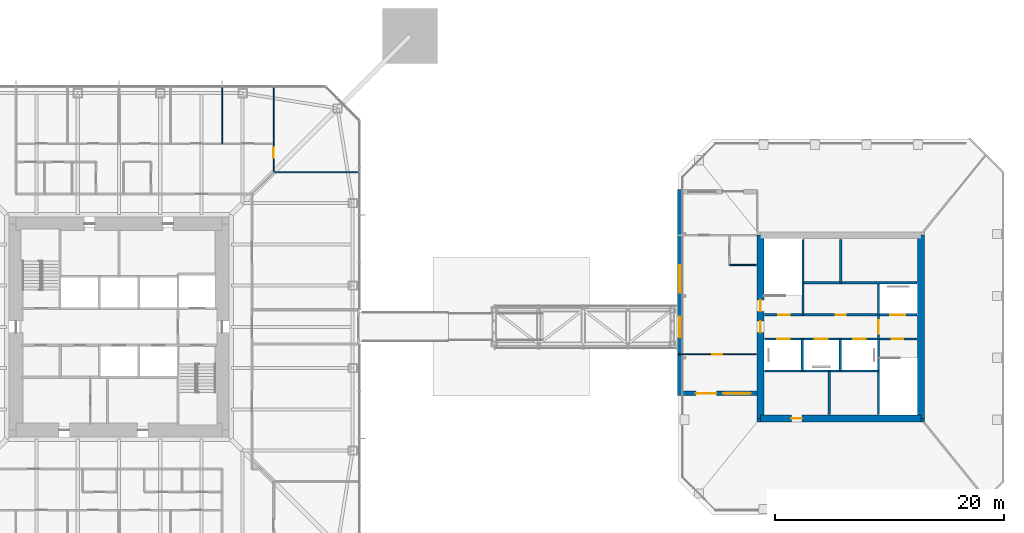
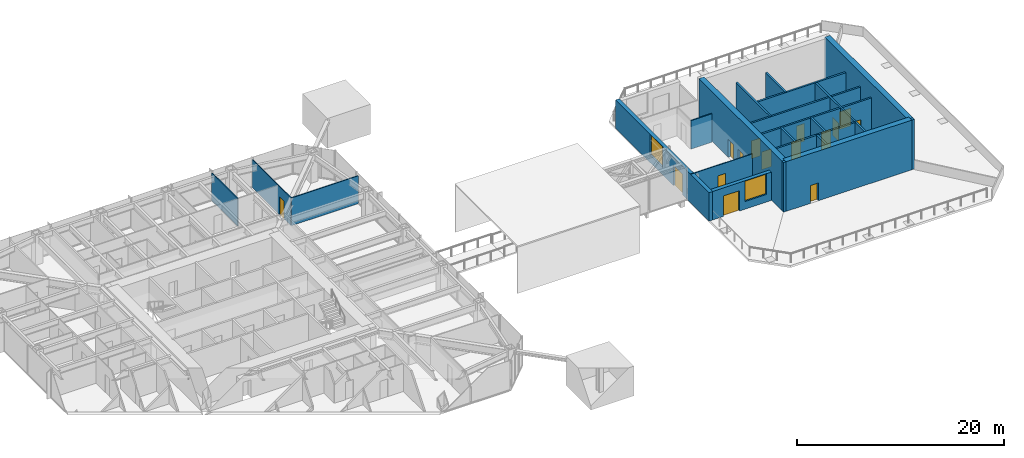
# One storey, part 15 of 23: 22 walls, 15 doors, 2 windows, 17 openings.
"""IFC4 building model written with IfcOpenShell, lengths in metres."""

from ifc_helpers import new_model, si_unit, direction, frame, frame_2d, origin, place, context, subcontext, project, spatial, rectangle, extrude, material, layer, layer_set, type_object, element, fill, save


model = new_model("IFC4")

# Units and contexts
model_context = context("Model", 3, precision=1e-05, world=origin(), true_north=direction((0.0, 1.0)))
body_context = subcontext(model_context, "Body", "Model", "MODEL_VIEW")
ifc_project = project(units=[si_unit("LENGTHUNIT", "METRE"), si_unit("AREAUNIT", "SQUARE_METRE"), si_unit("VOLUMEUNIT", "CUBIC_METRE"), si_unit("PLANEANGLEUNIT", "RADIAN"), si_unit("MASSUNIT", "GRAM", prefix="KILO")], contexts=[model_context])

# Site, building, storey
site_placement = place(None, origin())
site = spatial("IfcSite", under=ifc_project, at=site_placement, CompositionType="ELEMENT")
building_placement = place(site_placement, origin())
building = spatial("IfcBuilding", under=site, at=building_placement, Name="Iwan Alto Co-Living Towers", CompositionType="ELEMENT")
storey_placement = place(building_placement, frame((0.0, 0.0, 129.5)))
storey = spatial("IfcBuildingStorey", under=building, at=storey_placement, Name="L35", CompositionType="ELEMENT", Elevation=129.5)

# Wall, opening, door
ifc_material_1 = material(Name="Gypsum board")
ifc_layer_1 = layer(ifc_material_1, 0.012451171875, Name="Board", Category="Finish")
ifc_material_2 = material(Name="Steel ASTM A1003 ST33H cold-formed studs", Category="steel")
ifc_layer_2 = layer(ifc_material_2, 0.074951171875, Name="Studs", Category="Framing")
ifc_layer_3 = layer(ifc_material_1, 0.012451171875, Name="Board", Category="Finish")
ifc_layer_set_1 = layer_set([ifc_layer_1, ifc_layer_2, ifc_layer_3], Name="PARTITION 100")
wall_type_1 = type_object("IfcWallType", Name="PARTITION 100", PredefinedType="PARTITIONING", material=ifc_layer_set_1)
wall_1_placement = place(storey_placement, frame((48.81005859375, -2.39990234375, 0.0), z_axis=(0.0, 0.0, 1.0), x_axis=(1.0, 0.0, 0.0)))
wall_1 = element("IfcWall", 1, at=wall_1_placement, inside=storey, type_object=wall_type_1, Name="Partition L35", PredefinedType="PARTITIONING", context=body_context, shape_type="SweptSolid", body=[
    extrude(rectangle(XDim=6.829833984375, YDim=0.10009765625, at=frame_2d((3.4150390625, 0.0))), origin(), (0.0, 0.0, 1.0), 3.35009765625),
])
opening_1_placement = place(wall_1_placement, frame((2.989990234375, 0.0, 0.0)))
opening_1 = element("IfcOpeningElement", 2, at=opening_1_placement, cuts=wall_1, Name="Opening D2", PredefinedType="OPENING", context=body_context, shape_type="SweptSolid", body=[
    extrude(rectangle(XDim=0.85009765625, YDim=2.10009765625, at=frame_2d((0.425048828125, 1.050048828125))), frame((0.0, 0.06005859375, 0.0), z_axis=(0.0, -1.0, 0.0), x_axis=(1.0, 0.0, 0.0)), (0.0, 0.0, 1.0), 0.1201171875),
])
ifc_material_3 = material(Name="Timber leaf in steel frame", Category="steel")
door_type_1 = type_object("IfcDoorType", Name="ROOM DOOR 850X2100", OperationType="SINGLE_SWING_LEFT", PredefinedType="DOOR", material=ifc_material_3)
door_1_placement = place(opening_1_placement, origin())
door_1 = element("IfcDoor", 3, at=door_1_placement, inside=storey, type_object=door_type_1, Name="Catering kitchen door L35", OperationType="SINGLE_SWING_LEFT", OverallHeight=2.10009765625, OverallWidth=0.85009765625, PredefinedType="DOOR", context=body_context, shape_type="SweptSolid", body=[
    extrude(rectangle(XDim=0.85009765625, YDim=2.10009765625, at=frame_2d((0.425048828125, 1.050048828125))), frame((0.0, 0.02490234375, 0.0), z_axis=(0.0, -1.0, 0.0), x_axis=(1.0, 0.0, 0.0)), (0.0, 0.0, 1.0), 0.050048828125),
])
fill(opening_1, door_1)

# Wall
wall_2_placement = place(storey_placement, frame((13.5, 13.5, 0.0), z_axis=(0.0, 0.0, 1.0), x_axis=(1.0, 0.0, 0.0)))
element("IfcWall", 4, at=wall_2_placement, inside=storey, type_object=wall_type_1, Name="Partition L35", PredefinedType="PARTITIONING", context=body_context, shape_type="SweptSolid", body=[
    extrude(rectangle(XDim=7.43994140625, YDim=0.10009765625, at=frame_2d((3.719970703125, 0.0))), origin(), (0.0, 0.0, 1.0), 3.27001953125),
])

# Wall, opening, door
wall_3_placement = place(storey_placement, frame((13.5, 13.5, 0.0), z_axis=(0.0, 0.0, 1.0), x_axis=(0.0, 1.0, 0.0)))
wall_3 = element("IfcWall", 5, at=wall_3_placement, inside=storey, type_object=wall_type_1, Name="Partition L35", PredefinedType="PARTITIONING", context=body_context, shape_type="SweptSolid", body=[
    extrude(rectangle(XDim=7.43994140625, YDim=0.10009765625, at=frame_2d((3.719970703125, 0.0))), origin(), (0.0, 0.0, 1.0), 3.27001953125),
])
opening_2_placement = place(wall_3_placement, frame((1.27490234375, 0.0, 0.0)))
opening_2 = element("IfcOpeningElement", 6, at=opening_2_placement, cuts=wall_3, Name="Opening D2", PredefinedType="OPENING", context=body_context, shape_type="SweptSolid", body=[
    extrude(rectangle(XDim=0.85009765625, YDim=2.10009765625, at=frame_2d((0.425048828125, 1.050048828125))), frame((0.0, 0.06005859375, 0.0), z_axis=(0.0, -1.0, 0.0), x_axis=(1.0, 0.0, 0.0)), (0.0, 0.0, 1.0), 0.1201171875),
])
door_2_placement = place(opening_2_placement, origin())
door_2 = element("IfcDoor", 7, at=door_2_placement, inside=storey, type_object=door_type_1, Name="Shared kitchen and lounge door L35", OperationType="SINGLE_SWING_RIGHT", OverallHeight=2.10009765625, OverallWidth=0.85009765625, PredefinedType="DOOR", context=body_context, shape_type="SweptSolid", body=[
    extrude(rectangle(XDim=0.85009765625, YDim=2.10009765625, at=frame_2d((0.425048828125, 1.050048828125))), frame((0.0, 0.02490234375, 0.0), z_axis=(0.0, -1.0, 0.0), x_axis=(1.0, 0.0, 0.0)), (0.0, 0.0, 1.0), 0.050048828125),
])
fill(opening_2, door_2)

# Wall
wall_4_placement = place(storey_placement, frame((9.0, 16.0, 0.0), z_axis=(0.0, 0.0, 1.0), x_axis=(0.0, 1.0, 0.0)))
element("IfcWall", 8, at=wall_4_placement, inside=storey, type_object=wall_type_1, Name="Partition L35", PredefinedType="PARTITIONING", context=body_context, shape_type="SweptSolid", body=[
    extrude(rectangle(XDim=4.93994140625, YDim=0.10009765625, at=frame_2d((2.469970703125, 0.0))), origin(), (0.0, 0.0, 1.0), 3.27001953125),
])

# Wall, openings, door, window
ifc_material_4 = material(Name="Glazed fired clay brick facing", Category="masonry")
ifc_layer_4 = layer(ifc_material_4, 0.10009765625, Name="Glazed brick facing", Category="Finish")
ifc_material_5 = material(Name="Concrete f'c 70 MPa", Category="concrete")
ifc_layer_5 = layer(ifc_material_5, 0.300048828125, Name="Reinforced concrete", Category="LoadBearing")
ifc_layer_set_2 = layer_set([ifc_layer_4, ifc_layer_5], Name="ROOF LOUNGE WALL 400")
wall_type_2 = type_object("IfcWallType", Name="ROOF LOUNGE WALL 400", PredefinedType="SOLIDWALL", material=ifc_layer_set_2)
wall_5_placement = place(storey_placement, frame((48.949951171875, 12.0, 0.0), z_axis=(0.0, 0.0, 1.0), x_axis=(0.0, -1.0, 0.0)))
wall_5 = element("IfcWall", 9, at=wall_5_placement, inside=storey, type_object=wall_type_2, Name="T2 roof lounge west wall", PredefinedType="SOLIDWALL", context=body_context, shape_type="SweptSolid", body=[
    extrude(rectangle(XDim=18.0, YDim=0.39990234375, at=frame_2d((9.0, 0.0))), origin(), (0.0, 0.0, 1.0), 3.35009765625),
])
opening_3_placement = place(wall_5_placement, frame((11.10009765625, 0.0, 0.0)))
opening_3 = element("IfcOpeningElement", 10, at=opening_3_placement, cuts=wall_5, Name="Opening DE5", PredefinedType="OPENING", context=body_context, shape_type="SweptSolid", body=[
    extrude(rectangle(XDim=1.800048828125, YDim=2.39990234375, at=frame_2d((0.89990234375, 1.199951171875))), frame((0.0, 0.2099609375, 0.0), z_axis=(0.0, -1.0, 0.0), x_axis=(1.0, 0.0, 0.0)), (0.0, 0.0, 1.0), 0.419921875),
])
opening_4_placement = place(wall_5_placement, frame((6.60009765625, 0.0, 0.89990234375)))
opening_4 = element("IfcOpeningElement", 11, at=opening_4_placement, cuts=wall_5, Name="Opening WN4", PredefinedType="OPENING", context=body_context, shape_type="SweptSolid", body=[
    extrude(rectangle(XDim=2.39990234375, YDim=2.39990234375, at=frame_2d((1.199951171875, 1.199951171875))), frame((0.0, 0.2099609375, 0.0), z_axis=(0.0, -1.0, 0.0), x_axis=(1.0, 0.0, 0.0)), (0.0, 0.0, 1.0), 0.419921875),
])
ifc_material_6 = material(Name="Steel frame with glazed fire-rated leaves", Category="steel")
door_type_2 = type_object("IfcDoorType", Name="BRIDGE DOOR FD120S 1800X2400", OperationType="DOUBLE_DOOR_SINGLE_SWING", PredefinedType="DOOR", material=ifc_material_6)
door_3_placement = place(opening_3_placement, frame((1.800048828125, 0.0, 0.0), z_axis=(0.0, 0.0, 1.0), x_axis=(-1.0, 0.0, 0.0)))
door_3 = element("IfcDoor", 12, at=door_3_placement, inside=storey, type_object=door_type_2, Name="Bridge BR2 door L35", OperationType="DOUBLE_DOOR_SINGLE_SWING", OverallHeight=2.39990234375, OverallWidth=1.800048828125, PredefinedType="DOOR", context=body_context, shape_type="SweptSolid", body=[
    extrude(rectangle(XDim=1.800048828125, YDim=2.39990234375, at=frame_2d((0.89990234375, 1.199951171875))), frame((0.0, 0.02490234375, 0.0), z_axis=(0.0, -1.0, 0.0), x_axis=(1.0, 0.0, 0.0)), (0.0, 0.0, 1.0), 0.050048828125),
])
fill(opening_3, door_3)
ifc_material_7 = material(Name="Bronze aluminium window frame", Category="aluminium")
window_type = type_object("IfcWindowType", Name="WN4 ROOF LOUNGE WINDOW 2400X2400", PartitioningType="SINGLE_PANEL", PredefinedType="WINDOW", material=ifc_material_7)
window_1_placement = place(opening_4_placement, origin())
window_1 = element("IfcWindow", 13, at=window_1_placement, inside=storey, type_object=window_type, Name="Roof lounge window", OverallHeight=2.39990234375, OverallWidth=2.39990234375, PartitioningType="SINGLE_PANEL", PredefinedType="WINDOW", context=body_context, shape_type="SweptSolid", body=[
    extrude(rectangle(XDim=2.39990234375, YDim=2.39990234375, at=frame_2d((1.199951171875, 1.199951171875))), frame((0.0, 0.030029296875, 0.0), z_axis=(0.0, -1.0, 0.0), x_axis=(1.0, 0.0, 0.0)), (0.0, 0.0, 1.0), 0.06005859375),
])
fill(opening_4, window_1)

wall_6_placement = place(storey_placement, frame((49.14990234375, -5.800048828125, 0.0), z_axis=(0.0, 0.0, 1.0), x_axis=(1.0, 0.0, 0.0)))
wall_6 = element("IfcWall", 14, at=wall_6_placement, inside=storey, type_object=wall_type_2, Name="T2 roof lounge S wall", PredefinedType="SOLIDWALL", context=body_context, shape_type="SweptSolid", body=[
    extrude(rectangle(XDim=6.550048828125, YDim=0.39990234375, at=frame_2d((3.27490234375, 0.0))), origin(), (0.0, 0.0, 1.0), 3.35009765625),
])
opening_5_placement = place(wall_6_placement, frame((1.199951171875, 0.0, 0.0)))
opening_5 = element("IfcOpeningElement", 15, at=opening_5_placement, cuts=wall_6, Name="Opening DE7", PredefinedType="OPENING", context=body_context, shape_type="SweptSolid", body=[
    extrude(rectangle(XDim=1.800048828125, YDim=2.39990234375, at=frame_2d((0.89990234375, 1.199951171875))), frame((0.0, 0.2099609375, 0.0), z_axis=(0.0, -1.0, 0.0), x_axis=(1.0, 0.0, 0.0)), (0.0, 0.0, 1.0), 0.419921875),
])
opening_6_placement = place(wall_6_placement, frame((3.60009765625, 0.0, 0.89990234375)))
opening_6 = element("IfcOpeningElement", 16, at=opening_6_placement, cuts=wall_6, Name="Opening WN4", PredefinedType="OPENING", context=body_context, shape_type="SweptSolid", body=[
    extrude(rectangle(XDim=2.39990234375, YDim=2.39990234375, at=frame_2d((1.199951171875, 1.199951171875))), frame((0.0, 0.2099609375, 0.0), z_axis=(0.0, -1.0, 0.0), x_axis=(1.0, 0.0, 0.0)), (0.0, 0.0, 1.0), 0.419921875),
])
ifc_material_8 = material(Name="Bronze aluminium glazed door", Category="aluminium")
door_type_3 = type_object("IfcDoorType", Name="TERRACE DOOR 1800X2400", OperationType="DOUBLE_DOOR_SINGLE_SWING", PredefinedType="DOOR", material=ifc_material_8)
door_4_placement = place(opening_5_placement, frame((1.800048828125, 0.0, 0.0), z_axis=(0.0, 0.0, 1.0), x_axis=(-1.0, 0.0, 0.0)))
door_4 = element("IfcDoor", 17, at=door_4_placement, inside=storey, type_object=door_type_3, Name="Roof terrace door S", OperationType="DOUBLE_DOOR_SINGLE_SWING", OverallHeight=2.39990234375, OverallWidth=1.800048828125, PredefinedType="DOOR", context=body_context, shape_type="SweptSolid", body=[
    extrude(rectangle(XDim=1.800048828125, YDim=2.39990234375, at=frame_2d((0.89990234375, 1.199951171875))), frame((0.0, 0.02490234375, 0.0), z_axis=(0.0, -1.0, 0.0), x_axis=(1.0, 0.0, 0.0)), (0.0, 0.0, 1.0), 0.050048828125),
])
fill(opening_5, door_4)
window_2_placement = place(opening_6_placement, origin())
window_2 = element("IfcWindow", 18, at=window_2_placement, inside=storey, type_object=window_type, Name="Roof lounge window", OverallHeight=2.39990234375, OverallWidth=2.39990234375, PartitioningType="SINGLE_PANEL", PredefinedType="WINDOW", context=body_context, shape_type="SweptSolid", body=[
    extrude(rectangle(XDim=2.39990234375, YDim=2.39990234375, at=frame_2d((1.199951171875, 1.199951171875))), frame((0.0, 0.030029296875, 0.0), z_axis=(0.0, -1.0, 0.0), x_axis=(1.0, 0.0, 0.0)), (0.0, 0.0, 1.0), 0.06005859375),
])
fill(opening_6, window_2)

# Wall
ifc_material_9 = material(Name="Concrete f'c 70 MPa", Category="concrete")
ifc_layer_6 = layer(ifc_material_9, 0.199951171875)
ifc_layer_set_3 = layer_set([ifc_layer_6], Name="SHAFT WALL 200")
wall_type_3 = type_object("IfcWallType", Name="SHAFT WALL 200", PredefinedType="SOLIDWALL", material=ifc_layer_set_3)
wall_7_placement = place(storey_placement, frame((56.360107421875, -3.85009765625, 0.0), z_axis=(0.0, 0.0, 1.0), x_axis=(1.0, 0.0, 0.0)))
element("IfcWall", 19, at=wall_7_placement, inside=storey, type_object=wall_type_3, Name="Shaft wall L35", PredefinedType="SOLIDWALL", context=body_context, shape_type="SweptSolid", body=[
    extrude(rectangle(XDim=9.93994140625, YDim=0.199951171875, at=frame_2d((4.969970703125, 0.0))), origin(), (0.0, 0.0, 1.0), 4.25),
])

# Wall, openings, doors
wall_8_placement = place(storey_placement, frame((56.360107421875, -1.050048828125, 0.0), z_axis=(0.0, 0.0, 1.0), x_axis=(1.0, 0.0, 0.0)))
wall_8 = element("IfcWall", 20, at=wall_8_placement, inside=storey, type_object=wall_type_3, Name="Shaft wall L35", PredefinedType="SOLIDWALL", context=body_context, shape_type="SweptSolid", body=[
    extrude(rectangle(XDim=13.27978515625, YDim=0.199951171875, at=frame_2d((6.639892578125, 0.0))), origin(), (0.0, 0.0, 1.0), 4.25),
])
opening_7_placement = place(wall_8_placement, frame((11.110107421875, 0.0, 0.0)))
opening_7 = element("IfcOpeningElement", 21, at=opening_7_placement, cuts=wall_8, Name="Opening D5", PredefinedType="OPENING", context=body_context, shape_type="SweptSolid", body=[
    extrude(rectangle(XDim=1.0, YDim=2.10009765625, at=frame_2d((0.5, 1.050048828125))), frame((0.0, 0.10986328125, 0.0), z_axis=(0.0, -1.0, 0.0), x_axis=(1.0, 0.0, 0.0)), (0.0, 0.0, 1.0), 0.219970703125),
])
opening_8_placement = place(wall_8_placement, frame((1.0869140625, 0.0, 0.0)))
opening_8 = element("IfcOpeningElement", 22, at=opening_8_placement, cuts=wall_8, Name="Opening LD", PredefinedType="OPENING", context=body_context, shape_type="SweptSolid", body=[
    extrude(rectangle(XDim=1.10009765625, YDim=2.10009765625, at=frame_2d((0.550048828125, 1.050048828125))), frame((0.0, 0.10986328125, 0.0), z_axis=(0.0, -1.0, 0.0), x_axis=(1.0, 0.0, 0.0)), (0.0, 0.0, 1.0), 0.219970703125),
])
opening_9_placement = place(wall_8_placement, frame((4.389892578125, 0.0, 0.0)))
opening_9 = element("IfcOpeningElement", 23, at=opening_9_placement, cuts=wall_8, Name="Opening LD", PredefinedType="OPENING", context=body_context, shape_type="SweptSolid", body=[
    extrude(rectangle(XDim=1.10009765625, YDim=2.10009765625, at=frame_2d((0.550048828125, 1.050048828125))), frame((0.0, 0.10986328125, 0.0), z_axis=(0.0, -1.0, 0.0), x_axis=(1.0, 0.0, 0.0)), (0.0, 0.0, 1.0), 0.219970703125),
])
opening_10_placement = place(wall_8_placement, frame((7.72412109375, 0.0, 0.0)))
opening_10 = element("IfcOpeningElement", 24, at=opening_10_placement, cuts=wall_8, Name="Opening LD", PredefinedType="OPENING", context=body_context, shape_type="SweptSolid", body=[
    extrude(rectangle(XDim=1.10009765625, YDim=2.10009765625, at=frame_2d((0.550048828125, 1.050048828125))), frame((0.0, 0.10986328125, 0.0), z_axis=(0.0, -1.0, 0.0), x_axis=(1.0, 0.0, 0.0)), (0.0, 0.0, 1.0), 0.219970703125),
])
ifc_material_10 = material(Name="Steel frame with timber leaf", Category="steel")
door_type_4 = type_object("IfcDoorType", Name="LIFT LANDING DOOR 1100X2100", OperationType="DOUBLE_DOOR_SLIDING", PredefinedType="DOOR", material=ifc_material_10)
door_5_placement = place(opening_8_placement, origin())
door_5 = element("IfcDoor", 25, at=door_5_placement, inside=storey, type_object=door_type_4, Name="Lift P5-1 landing door L35", OperationType="DOUBLE_DOOR_SLIDING", OverallHeight=2.10009765625, OverallWidth=1.10009765625, PredefinedType="DOOR", context=body_context, shape_type="SweptSolid", body=[
    extrude(rectangle(XDim=1.10009765625, YDim=2.10009765625, at=frame_2d((0.550048828125, 1.050048828125))), frame((0.0, 0.02490234375, 0.0), z_axis=(0.0, -1.0, 0.0), x_axis=(1.0, 0.0, 0.0)), (0.0, 0.0, 1.0), 0.050048828125),
])
fill(opening_8, door_5)
door_6_placement = place(opening_9_placement, origin())
door_6 = element("IfcDoor", 26, at=door_6_placement, inside=storey, type_object=door_type_4, Name="Lift P5-2 landing door L35", OperationType="DOUBLE_DOOR_SLIDING", OverallHeight=2.10009765625, OverallWidth=1.10009765625, PredefinedType="DOOR", context=body_context, shape_type="SweptSolid", body=[
    extrude(rectangle(XDim=1.10009765625, YDim=2.10009765625, at=frame_2d((0.550048828125, 1.050048828125))), frame((0.0, 0.02490234375, 0.0), z_axis=(0.0, -1.0, 0.0), x_axis=(1.0, 0.0, 0.0)), (0.0, 0.0, 1.0), 0.050048828125),
])
fill(opening_9, door_6)
door_7_placement = place(opening_10_placement, origin())
door_7 = element("IfcDoor", 27, at=door_7_placement, inside=storey, type_object=door_type_4, Name="Lift P6-3 landing door L35", OperationType="DOUBLE_DOOR_SLIDING", OverallHeight=2.10009765625, OverallWidth=1.10009765625, PredefinedType="DOOR", context=body_context, shape_type="SweptSolid", body=[
    extrude(rectangle(XDim=1.10009765625, YDim=2.10009765625, at=frame_2d((0.550048828125, 1.050048828125))), frame((0.0, 0.02490234375, 0.0), z_axis=(0.0, -1.0, 0.0), x_axis=(1.0, 0.0, 0.0)), (0.0, 0.0, 1.0), 0.050048828125),
])
fill(opening_10, door_7)
ifc_material_11 = material(Name="Steel frame with timber leaf", Category="steel")
door_type_5 = type_object("IfcDoorType", Name="STAIR DOOR FD120S 1000X2100", OperationType="SINGLE_SWING_LEFT", PredefinedType="DOOR", material=ifc_material_11)
door_8_placement = place(opening_7_placement, frame((1.0, 0.0, 0.0), z_axis=(0.0, 0.0, 1.0), x_axis=(-1.0, 0.0, 0.0)))
door_8 = element("IfcDoor", 28, at=door_8_placement, inside=storey, type_object=door_type_5, Name="Stair S2 door L35", OperationType="SINGLE_SWING_RIGHT", OverallHeight=2.10009765625, OverallWidth=1.0, PredefinedType="DOOR", context=body_context, shape_type="SweptSolid", body=[
    extrude(rectangle(XDim=1.0, YDim=2.10009765625, at=frame_2d((0.5, 1.050048828125))), frame((0.0, 0.02490234375, 0.0), z_axis=(0.0, -1.0, 0.0), x_axis=(1.0, 0.0, 0.0)), (0.0, 0.0, 1.0), 0.050048828125),
])
fill(opening_7, door_8)

wall_9_placement = place(storey_placement, frame((56.360107421875, 1.050048828125, 0.0), z_axis=(0.0, 0.0, 1.0), x_axis=(1.0, 0.0, 0.0)))
wall_9 = element("IfcWall", 29, at=wall_9_placement, inside=storey, type_object=wall_type_3, Name="Shaft wall L35", PredefinedType="SOLIDWALL", context=body_context, shape_type="SweptSolid", body=[
    extrude(rectangle(XDim=13.27978515625, YDim=0.199951171875, at=frame_2d((6.639892578125, 0.0))), origin(), (0.0, 0.0, 1.0), 4.25),
])
opening_11_placement = place(wall_9_placement, frame((1.169921875, 0.0, 0.0)))
opening_11 = element("IfcOpeningElement", 30, at=opening_11_placement, cuts=wall_9, Name="Opening D5", PredefinedType="OPENING", context=body_context, shape_type="SweptSolid", body=[
    extrude(rectangle(XDim=1.0, YDim=2.10009765625, at=frame_2d((0.5, 1.050048828125))), frame((0.0, 0.10986328125, 0.0), z_axis=(0.0, -1.0, 0.0), x_axis=(1.0, 0.0, 0.0)), (0.0, 0.0, 1.0), 0.219970703125),
])
opening_12_placement = place(wall_9_placement, frame((6.18994140625, 0.0, 0.0)))
opening_12 = element("IfcOpeningElement", 31, at=opening_12_placement, cuts=wall_9, Name="Opening D8", PredefinedType="OPENING", context=body_context, shape_type="SweptSolid", body=[
    extrude(rectangle(XDim=0.89990234375, YDim=2.10009765625, at=frame_2d((0.449951171875, 1.050048828125))), frame((0.0, 0.10986328125, 0.0), z_axis=(0.0, -1.0, 0.0), x_axis=(1.0, 0.0, 0.0)), (0.0, 0.0, 1.0), 0.219970703125),
])
opening_13_placement = place(wall_9_placement, frame((10.9599609375, 0.0, 0.0)))
opening_13 = element("IfcOpeningElement", 32, at=opening_13_placement, cuts=wall_9, Name="Opening LD2", PredefinedType="OPENING", context=body_context, shape_type="SweptSolid", body=[
    extrude(rectangle(XDim=1.300048828125, YDim=2.10009765625, at=frame_2d((0.64990234375, 1.050048828125))), frame((0.0, 0.10986328125, 0.0), z_axis=(0.0, -1.0, 0.0), x_axis=(1.0, 0.0, 0.0)), (0.0, 0.0, 1.0), 0.219970703125),
])
ifc_material_12 = material(Name="Steel frame with timber leaf", Category="steel")
door_type_6 = type_object("IfcDoorType", Name="LIFT LANDING DOOR 1300X2100", OperationType="SLIDING_TO_LEFT", PredefinedType="DOOR", material=ifc_material_12)
door_9_placement = place(opening_13_placement, origin())
door_9 = element("IfcDoor", 33, at=door_9_placement, inside=storey, type_object=door_type_6, Name="Lift FL2 landing door L35", OperationType="SLIDING_TO_LEFT", OverallHeight=2.10009765625, OverallWidth=1.300048828125, PredefinedType="DOOR", context=body_context, shape_type="SweptSolid", body=[
    extrude(rectangle(XDim=1.300048828125, YDim=2.10009765625, at=frame_2d((0.64990234375, 1.050048828125))), frame((0.0, 0.02490234375, 0.0), z_axis=(0.0, -1.0, 0.0), x_axis=(1.0, 0.0, 0.0)), (0.0, 0.0, 1.0), 0.050048828125),
])
fill(opening_13, door_9)
ifc_material_13 = material(Name="Steel frame with timber leaf", Category="steel")
door_type_7 = type_object("IfcDoorType", Name="RISER DOOR FD120 900X2100", OperationType="SINGLE_SWING_LEFT", PredefinedType="DOOR", material=ifc_material_13)
door_10_placement = place(opening_12_placement, origin())
door_10 = element("IfcDoor", 34, at=door_10_placement, inside=storey, type_object=door_type_7, Name="Riser room door L35", OperationType="SINGLE_SWING_LEFT", OverallHeight=2.10009765625, OverallWidth=0.89990234375, PredefinedType="DOOR", context=body_context, shape_type="SweptSolid", body=[
    extrude(rectangle(XDim=0.89990234375, YDim=2.10009765625, at=frame_2d((0.449951171875, 1.050048828125))), frame((0.0, 0.02490234375, 0.0), z_axis=(0.0, -1.0, 0.0), x_axis=(1.0, 0.0, 0.0)), (0.0, 0.0, 1.0), 0.050048828125),
])
fill(opening_12, door_10)
door_11_placement = place(opening_11_placement, origin())
door_11 = element("IfcDoor", 35, at=door_11_placement, inside=storey, type_object=door_type_5, Name="Stair S1 door L35", OperationType="SINGLE_SWING_RIGHT", OverallHeight=2.10009765625, OverallWidth=1.0, PredefinedType="DOOR", context=body_context, shape_type="SweptSolid", body=[
    extrude(rectangle(XDim=1.0, YDim=2.10009765625, at=frame_2d((0.5, 1.050048828125))), frame((0.0, 0.02490234375, 0.0), z_axis=(0.0, -1.0, 0.0), x_axis=(1.0, 0.0, 0.0)), (0.0, 0.0, 1.0), 0.050048828125),
])
fill(opening_11, door_11)

# Wall
wall_10_placement = place(storey_placement, frame((59.699951171875, 3.85009765625, 0.0), z_axis=(0.0, 0.0, 1.0), x_axis=(1.0, 0.0, 0.0)))
element("IfcWall", 36, at=wall_10_placement, inside=storey, type_object=wall_type_3, Name="Shaft wall L35", PredefinedType="SOLIDWALL", context=body_context, shape_type="SweptSolid", body=[
    extrude(rectangle(XDim=9.93994140625, YDim=0.199951171875, at=frame_2d((4.969970703125, 0.0))), origin(), (0.0, 0.0, 1.0), 4.25),
])

# Wall, opening, door
wall_11_placement = place(storey_placement, frame((66.300048828125, -7.639892578125, 0.0), z_axis=(0.0, 0.0, 1.0), x_axis=(0.0, 1.0, 0.0)))
wall_11 = element("IfcWall", 37, at=wall_11_placement, inside=storey, type_object=wall_type_3, Name="Shaft wall L35", PredefinedType="SOLIDWALL", context=body_context, shape_type="SweptSolid", body=[
    extrude(rectangle(XDim=11.489990234375, YDim=0.199951171875, at=frame_2d((5.7451171875, 0.0))), origin(), (0.0, 0.0, 1.0), 4.25),
])
opening_14_placement = place(wall_11_placement, frame((7.0400390625, 0.0, 0.0)))
opening_14 = element("IfcOpeningElement", 38, at=opening_14_placement, cuts=wall_11, Name="Opening D6", PredefinedType="OPENING", context=body_context, shape_type="SweptSolid", body=[
    extrude(rectangle(XDim=1.199951171875, YDim=2.10009765625, at=frame_2d((0.60009765625, 1.050048828125))), frame((0.0, 0.10986328125, 0.0), z_axis=(0.0, -1.0, 0.0), x_axis=(1.0, 0.0, 0.0)), (0.0, 0.0, 1.0), 0.219970703125),
])
ifc_material_14 = material(Name="Steel frame with timber leaf", Category="steel")
door_type_8 = type_object("IfcDoorType", Name="LOBBY DOOR FD120S 1200X2100", OperationType="SINGLE_SWING_LEFT", PredefinedType="DOOR", material=ifc_material_14)
door_12_placement = place(opening_14_placement, frame((1.199951171875, 0.0, 0.0), z_axis=(0.0, 0.0, 1.0), x_axis=(-1.0, 0.0, 0.0)))
door_12 = element("IfcDoor", 39, at=door_12_placement, inside=storey, type_object=door_type_8, Name="Firefighting lobby door L35", OperationType="SINGLE_SWING_RIGHT", OverallHeight=2.10009765625, OverallWidth=1.199951171875, PredefinedType="DOOR", context=body_context, shape_type="SweptSolid", body=[
    extrude(rectangle(XDim=1.199951171875, YDim=2.10009765625, at=frame_2d((0.60009765625, 1.050048828125))), frame((0.0, 0.02490234375, 0.0), z_axis=(0.0, -1.0, 0.0), x_axis=(1.0, 0.0, 0.0)), (0.0, 0.0, 1.0), 0.050048828125),
])
fill(opening_14, door_12)

# Walls
wall_12_placement = place(storey_placement, frame((63.0, 3.85009765625, 0.0), z_axis=(0.0, 0.0, 1.0), x_axis=(0.0, 1.0, 0.0)))
element("IfcWall", 40, at=wall_12_placement, inside=storey, type_object=wall_type_3, Name="Shaft wall L35", PredefinedType="SOLIDWALL", context=body_context, shape_type="SweptSolid", body=[
    extrude(rectangle(XDim=3.789794921875, YDim=0.199951171875, at=frame_2d((1.89501953125, 0.0))), origin(), (0.0, 0.0, 1.0), 4.25),
])
wall_13_placement = place(storey_placement, frame((62.967041015625, -3.85009765625, 0.0), z_axis=(0.0, 0.0, 1.0), x_axis=(0.0, 1.0, 0.0)))
element("IfcWall", 41, at=wall_13_placement, inside=storey, type_object=wall_type_3, Name="Shaft wall L35", PredefinedType="SOLIDWALL", context=body_context, shape_type="SweptSolid", body=[
    extrude(rectangle(XDim=2.800048828125, YDim=0.199951171875, at=frame_2d((1.39990234375, 0.0))), origin(), (0.0, 0.0, 1.0), 4.25),
])
wall_14_placement = place(storey_placement, frame((62.0, -7.639892578125, 0.0), z_axis=(0.0, 0.0, 1.0), x_axis=(0.0, 1.0, 0.0)))
element("IfcWall", 42, at=wall_14_placement, inside=storey, type_object=wall_type_3, Name="Shaft wall L35", PredefinedType="SOLIDWALL", context=body_context, shape_type="SweptSolid", body=[
    extrude(rectangle(XDim=3.789794921875, YDim=0.199951171875, at=frame_2d((1.89501953125, 0.0))), origin(), (0.0, 0.0, 1.0), 4.25),
])
wall_15_placement = place(storey_placement, frame((59.699951171875, 1.050048828125, 0.0), z_axis=(0.0, 0.0, 1.0), x_axis=(0.0, 1.0, 0.0)))
element("IfcWall", 43, at=wall_15_placement, inside=storey, type_object=wall_type_3, Name="Shaft wall L35", PredefinedType="SOLIDWALL", context=body_context, shape_type="SweptSolid", body=[
    extrude(rectangle(XDim=6.58984375, YDim=0.199951171875, at=frame_2d((3.294921875, 0.0))), origin(), (0.0, 0.0, 1.0), 4.25),
])
wall_16_placement = place(storey_placement, frame((59.633056640625, -3.85009765625, 0.0), z_axis=(0.0, 0.0, 1.0), x_axis=(0.0, 1.0, 0.0)))
element("IfcWall", 44, at=wall_16_placement, inside=storey, type_object=wall_type_3, Name="Shaft wall L35", PredefinedType="SOLIDWALL", context=body_context, shape_type="SweptSolid", body=[
    extrude(rectangle(XDim=2.800048828125, YDim=0.199951171875, at=frame_2d((1.39990234375, 0.0))), origin(), (0.0, 0.0, 1.0), 4.25),
])
ifc_material_15 = material(Name="Concrete f'c 70 MPa", Category="concrete")
ifc_layer_7 = layer(ifc_material_15, 0.300048828125)
ifc_layer_set_4 = layer_set([ifc_layer_7], Name="T2 CORE CORNER FILL 300")
wall_type_4 = type_object("IfcWallType", Name="T2 CORE CORNER FILL 300", PredefinedType="SOLIDWALL", material=ifc_layer_set_4)
for number, where, z_axis, x_axis, name in (
    (45, (55.699951171875, -8.14990234375, 0.0), (0.0, 0.0, 1.0), (1.0, 0.0, 0.0), "T2 core corner SW L35"),
    (46, (70.0, -8.14990234375, 0.0), (0.0, 0.0, 1.0), (1.0, 0.0, 0.0), "T2 core corner SE L35"),
):
    element("IfcWall", number, at=place(storey_placement, frame(where, z_axis=z_axis, x_axis=x_axis)), inside=storey, type_object=wall_type_4, Name=name, PredefinedType="SOLIDWALL", context=body_context, shape_type="SweptSolid", body=[
        extrude(rectangle(XDim=0.300048828125, YDim=0.300048828125, at=frame_2d((0.14990234375, 0.0))), origin(), (0.0, 0.0, 1.0), 5.85009765625),
    ])

# Wall, opening, door
ifc_material_16 = material(Name="Concrete f'c 70 MPa", Category="concrete")
ifc_layer_8 = layer(ifc_material_16, 0.60009765625)
ifc_layer_set_5 = layer_set([ifc_layer_8], Name="T2 CORE WALL 600")
wall_type_5 = type_object("IfcWallType", Name="T2 CORE WALL 600", PredefinedType="SHEAR", material=ifc_layer_set_5)
wall_17_placement = place(storey_placement, frame((56.0, -8.0, 0.0), z_axis=(0.0, 0.0, 1.0), x_axis=(1.0, 0.0, 0.0)))
wall_17 = element("IfcWall", 47, at=wall_17_placement, inside=storey, type_object=wall_type_5, Name="T2 core wall S L35", PredefinedType="SHEAR", context=body_context, shape_type="SweptSolid", body=[
    extrude(rectangle(XDim=14.0, YDim=0.60009765625, at=frame_2d((7.0, 0.0))), origin(), (0.0, 0.0, 1.0), 5.85009765625),
])
opening_15_placement = place(wall_17_placement, frame((2.699951171875, 0.0, 0.0)))
opening_15 = element("IfcOpeningElement", 48, at=opening_15_placement, cuts=wall_17, Name="Opening D8", PredefinedType="OPENING", context=body_context, shape_type="SweptSolid", body=[
    extrude(rectangle(XDim=0.89990234375, YDim=2.10009765625, at=frame_2d((0.449951171875, 1.050048828125))), frame((0.0, 0.31005859375, 0.0), z_axis=(0.0, -1.0, 0.0), x_axis=(1.0, 0.0, 0.0)), (0.0, 0.0, 1.0), 0.6201171875),
])
door_13_placement = place(opening_15_placement, frame((0.89990234375, 0.0, 0.0), z_axis=(0.0, 0.0, 1.0), x_axis=(-1.0, 0.0, 0.0)))
door_13 = element("IfcDoor", 49, at=door_13_placement, inside=storey, type_object=door_type_7, Name="Refuse chute riser core door L35", OperationType="SINGLE_SWING_RIGHT", OverallHeight=2.10009765625, OverallWidth=0.89990234375, PredefinedType="DOOR", context=body_context, shape_type="SweptSolid", body=[
    extrude(rectangle(XDim=0.89990234375, YDim=2.10009765625, at=frame_2d((0.449951171875, 1.050048828125))), frame((0.0, 0.02490234375, 0.0), z_axis=(0.0, -1.0, 0.0), x_axis=(1.0, 0.0, 0.0)), (0.0, 0.0, 1.0), 0.050048828125),
])
fill(opening_15, door_13)

# Wall
wall_18_placement = place(storey_placement, frame((70.0, -8.0, 0.0), z_axis=(0.0, 0.0, 1.0), x_axis=(0.0, 1.0, 0.0)))
element("IfcWall", 50, at=wall_18_placement, inside=storey, type_object=wall_type_5, Name="T2 core wall E L35", PredefinedType="SHEAR", context=body_context, shape_type="SweptSolid", body=[
    extrude(rectangle(XDim=16.0, YDim=0.60009765625, at=frame_2d((8.0, 0.0))), origin(), (0.0, 0.0, 1.0), 5.85009765625),
])

# Wall, openings, doors
wall_19_placement = place(storey_placement, frame((56.0, 8.0, 0.0), z_axis=(0.0, 0.0, 1.0), x_axis=(0.0, -1.0, 0.0)))
wall_19 = element("IfcWall", 51, at=wall_19_placement, inside=storey, type_object=wall_type_5, Name="T2 core wall W L35", PredefinedType="SHEAR", context=body_context, shape_type="SweptSolid", body=[
    extrude(rectangle(XDim=16.0, YDim=0.60009765625, at=frame_2d((8.0, 0.0))), origin(), (0.0, 0.0, 1.0), 5.85009765625),
])
opening_16_placement = place(wall_19_placement, frame((7.5, 0.0, 0.0)))
opening_16 = element("IfcOpeningElement", 52, at=opening_16_placement, cuts=wall_19, Name="Opening D7", PredefinedType="OPENING", context=body_context, shape_type="SweptSolid", body=[
    extrude(rectangle(XDim=1.0, YDim=2.10009765625, at=frame_2d((0.5, 1.050048828125))), frame((0.0, 0.31005859375, 0.0), z_axis=(0.0, -1.0, 0.0), x_axis=(1.0, 0.0, 0.0)), (0.0, 0.0, 1.0), 0.6201171875),
])
opening_17_placement = place(wall_19_placement, frame((5.639892578125, 0.0, 0.0)))
opening_17 = element("IfcOpeningElement", 53, at=opening_17_placement, cuts=wall_19, Name="Opening D7", PredefinedType="OPENING", context=body_context, shape_type="SweptSolid", body=[
    extrude(rectangle(XDim=1.0, YDim=2.10009765625, at=frame_2d((0.5, 1.050048828125))), frame((0.0, 0.31005859375, 0.0), z_axis=(0.0, -1.0, 0.0), x_axis=(1.0, 0.0, 0.0)), (0.0, 0.0, 1.0), 0.6201171875),
])
ifc_material_17 = material(Name="Steel frame with timber leaf", Category="steel")
door_type_9 = type_object("IfcDoorType", Name="CORE DOOR FD120S 1000X2100", OperationType="SINGLE_SWING_LEFT", PredefinedType="DOOR", material=ifc_material_17)
door_14_placement = place(opening_16_placement, frame((1.0, 0.0, 0.0), z_axis=(0.0, 0.0, 1.0), x_axis=(-1.0, 0.0, 0.0)))
door_14 = element("IfcDoor", 54, at=door_14_placement, inside=storey, type_object=door_type_9, Name="Lift lobby core door L35", OperationType="SINGLE_SWING_LEFT", OverallHeight=2.10009765625, OverallWidth=1.0, PredefinedType="DOOR", context=body_context, shape_type="SweptSolid", body=[
    extrude(rectangle(XDim=1.0, YDim=2.10009765625, at=frame_2d((0.5, 1.050048828125))), frame((0.0, 0.02490234375, 0.0), z_axis=(0.0, -1.0, 0.0), x_axis=(1.0, 0.0, 0.0)), (0.0, 0.0, 1.0), 0.050048828125),
])
fill(opening_16, door_14)
door_15_placement = place(opening_17_placement, origin())
door_15 = element("IfcDoor", 55, at=door_15_placement, inside=storey, type_object=door_type_9, Name="Roof lounge core door L35", OperationType="SINGLE_SWING_RIGHT", OverallHeight=2.10009765625, OverallWidth=1.0, PredefinedType="DOOR", context=body_context, shape_type="SweptSolid", body=[
    extrude(rectangle(XDim=1.0, YDim=2.10009765625, at=frame_2d((0.5, 1.050048828125))), frame((0.0, 0.02490234375, 0.0), z_axis=(0.0, -1.0, 0.0), x_axis=(1.0, 0.0, 0.0)), (0.0, 0.0, 1.0), 0.050048828125),
])
fill(opening_17, door_15)

# Wall
ifc_material_18 = material(Name="Cement board")
ifc_layer_9 = layer(ifc_material_18, 0.012451171875, Name="Board", Category="Finish")
ifc_layer_10 = layer(ifc_material_2, 0.094970703125, Name="Studs", Category="Framing")
ifc_layer_11 = layer(ifc_material_18, 0.012451171875, Name="Board", Category="Finish")
ifc_layer_set_6 = layer_set([ifc_layer_9, ifc_layer_10, ifc_layer_11], Name="WET AREA PARTITION 120")
wall_type_6 = type_object("IfcWallType", Name="WET AREA PARTITION 120", PredefinedType="PARTITIONING", material=ifc_layer_set_6)
wall_20_placement = place(storey_placement, frame((53.300048828125, 5.39990234375, 0.0), z_axis=(0.0, 0.0, 1.0), x_axis=(1.0, 0.0, 0.0)))
element("IfcWall", 56, at=wall_20_placement, inside=storey, type_object=wall_type_6, Name="Partition L35", PredefinedType="PARTITIONING", context=body_context, shape_type="SweptSolid", body=[
    extrude(rectangle(XDim=2.33984375, YDim=0.1201171875, at=frame_2d((1.169921875, 0.0))), origin(), (0.0, 0.0, 1.0), 3.35009765625),
])

save(model, "model.ifc")
